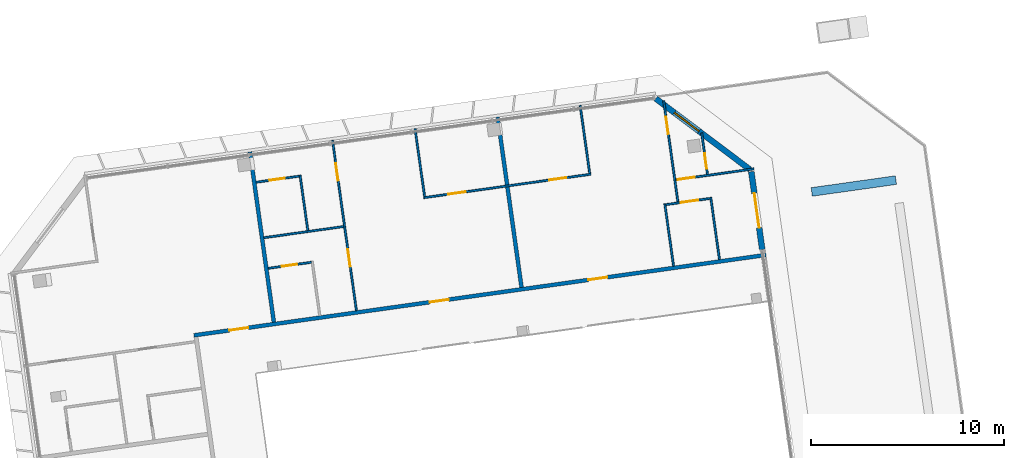
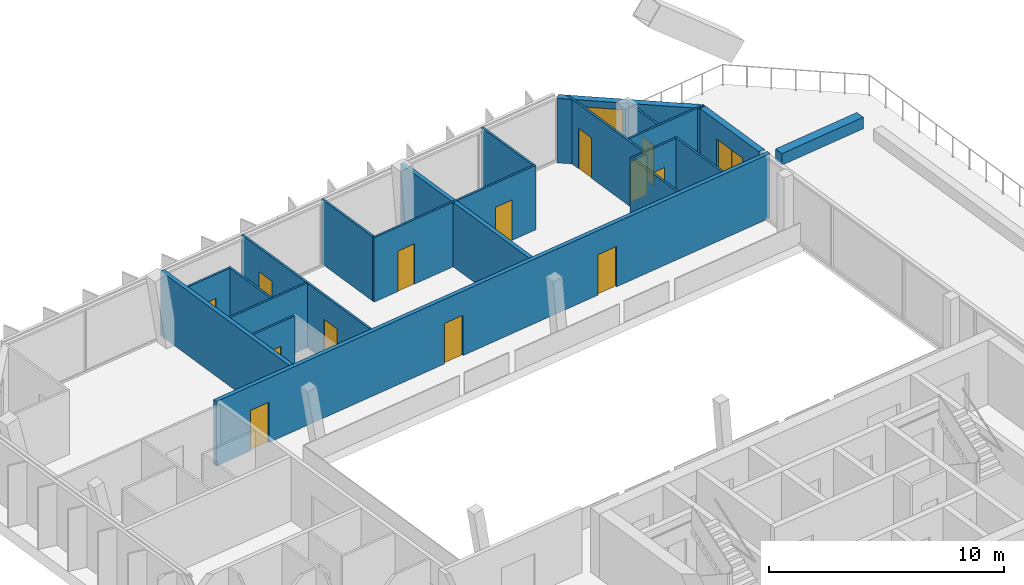
# One storey, part 14 of 17: 20 walls, 14 doors, 1 window, 15 openings.
"""IFC4 building model written with IfcOpenShell, lengths in metres."""

from ifc_helpers import new_model, si_unit, direction, frame, frame_2d, origin, place, context, subcontext, project, spatial, rectangle, extrude, material, layer, layer_set, type_object, element, fill, save


model = new_model("IFC4")

# Units and contexts
model_context = context("Model", 3, precision=1e-05, world=origin(), true_north=direction((0.0, 1.0)))
body_context = subcontext(model_context, "Body", "Model", "MODEL_VIEW")
ifc_project = project(units=[si_unit("LENGTHUNIT", "METRE"), si_unit("AREAUNIT", "SQUARE_METRE"), si_unit("VOLUMEUNIT", "CUBIC_METRE"), si_unit("PLANEANGLEUNIT", "RADIAN"), si_unit("MASSUNIT", "GRAM", prefix="KILO")], contexts=[model_context])

# Site, building, storey
site_placement = place(None, origin())
site = spatial("IfcSite", under=ifc_project, at=site_placement, CompositionType="ELEMENT")
building_placement = place(site_placement, origin())
building = spatial("IfcBuilding", under=site, at=building_placement, Name="Mirante Cascada Hotel Towers", CompositionType="ELEMENT")
storey_placement = place(building_placement, frame((0.0, 0.0, 250.8)))
storey = spatial("IfcBuildingStorey", under=building, at=storey_placement, Name="L60", CompositionType="ELEMENT", Elevation=250.8)

# Wall, openings, doors
ifc_material_1 = material(Name="Fire-rated plasterboard on metal studs")
ifc_layer_1 = layer(ifc_material_1, 0.2)
ifc_layer_set_1 = layer_set([ifc_layer_1], Name="Compartment wall 200 EI 120")
wall_type_1 = type_object("IfcWallType", Name="Compartment wall 200 EI 120", PredefinedType="PARTITIONING", material=ifc_layer_set_1)
wall_1_placement = place(storey_placement, frame((25.7365, 7.4991, 0.0), z_axis=(0.0, 0.0, 1.0), x_axis=(0.9902679, 0.139174, 0.0)))
wall_1 = element("IfcWall", 1, at=wall_1_placement, inside=storey, type_object=wall_type_1, Name="Wall 2-L60-11", PredefinedType="PARTITIONING", context=body_context, shape_type="SweptSolid", body=[
    extrude(rectangle(XDim=29.9, YDim=0.2, at=frame_2d((14.95, 0.0))), origin(), (0.0, 0.0, 1.0), 3.35),
])
opening_1_placement = place(wall_1_placement, frame((1.8472, 0.0, 0.0)))
opening_1 = element("IfcOpeningElement", 2, at=opening_1_placement, cuts=wall_1, Name="Opening D2-L60-06", PredefinedType="OPENING", context=body_context, shape_type="SweptSolid", body=[
    extrude(rectangle(XDim=1.0, YDim=2.1, at=frame_2d((0.5, 1.05))), frame((0.0, 0.1, 0.0), z_axis=(0.0, -1.0, 0.0), x_axis=(1.0, 0.0, 0.0)), (0.0, 0.0, 1.0), 0.2),
])
opening_2_placement = place(wall_1_placement, frame((12.3245, 0.0, 0.0)))
opening_2 = element("IfcOpeningElement", 3, at=opening_2_placement, cuts=wall_1, Name="Opening D2-L60-07", PredefinedType="OPENING", context=body_context, shape_type="SweptSolid", body=[
    extrude(rectangle(XDim=1.0, YDim=2.1, at=frame_2d((0.5, 1.05))), frame((0.0, 0.1, 0.0), z_axis=(0.0, -1.0, 0.0), x_axis=(1.0, 0.0, 0.0)), (0.0, 0.0, 1.0), 0.2),
])
opening_3_placement = place(wall_1_placement, frame((20.6122, 0.0, 0.0)))
opening_3 = element("IfcOpeningElement", 4, at=opening_3_placement, cuts=wall_1, Name="Opening D2-L60-08", PredefinedType="OPENING", context=body_context, shape_type="SweptSolid", body=[
    extrude(rectangle(XDim=1.0, YDim=2.1, at=frame_2d((0.5, 1.05))), frame((0.0, 0.1, 0.0), z_axis=(0.0, -1.0, 0.0), x_axis=(1.0, 0.0, 0.0)), (0.0, 0.0, 1.0), 0.2),
])
ifc_material_2 = material(Name="Fire-rated timber door leaf", Category="wood")
door_type_1 = type_object("IfcDoorType", Name="Entrance door DG1 1000x2100 EI 60", OperationType="SINGLE_SWING_LEFT", PredefinedType="DOOR", material=ifc_material_2)
door_1_placement = place(opening_1_placement, origin())
door_1 = element("IfcDoor", 5, at=door_1_placement, inside=storey, type_object=door_type_1, Name="Door D2-L60-06", OperationType="SINGLE_SWING_LEFT", OverallHeight=2.1, OverallWidth=1.0, PredefinedType="DOOR", context=body_context, shape_type="SweptSolid", body=[
    extrude(rectangle(XDim=1.0, YDim=2.1, at=frame_2d((0.5, 1.05))), frame((0.0, 0.025, 0.0), z_axis=(0.0, -1.0, 0.0), x_axis=(1.0, 0.0, 0.0)), (0.0, 0.0, 1.0), 0.05),
])
fill(opening_1, door_1)
door_2_placement = place(opening_2_placement, origin())
door_2 = element("IfcDoor", 6, at=door_2_placement, inside=storey, type_object=door_type_1, Name="Door D2-L60-07", OperationType="SINGLE_SWING_LEFT", OverallHeight=2.1, OverallWidth=1.0, PredefinedType="DOOR", context=body_context, shape_type="SweptSolid", body=[
    extrude(rectangle(XDim=1.0, YDim=2.1, at=frame_2d((0.5, 1.05))), frame((0.0, 0.025, 0.0), z_axis=(0.0, -1.0, 0.0), x_axis=(1.0, 0.0, 0.0)), (0.0, 0.0, 1.0), 0.05),
])
fill(opening_2, door_2)
door_3_placement = place(opening_3_placement, origin())
door_3 = element("IfcDoor", 7, at=door_3_placement, inside=storey, type_object=door_type_1, Name="Door D2-L60-08", OperationType="SINGLE_SWING_LEFT", OverallHeight=2.1, OverallWidth=1.0, PredefinedType="DOOR", context=body_context, shape_type="SweptSolid", body=[
    extrude(rectangle(XDim=1.0, YDim=2.1, at=frame_2d((0.5, 1.05))), frame((0.0, 0.025, 0.0), z_axis=(0.0, -1.0, 0.0), x_axis=(1.0, 0.0, 0.0)), (0.0, 0.0, 1.0), 0.05),
])
fill(opening_3, door_3)

# Walls
for number, where, z_axis, x_axis, name in (
    (8, (29.8761, 8.1818, 0.0), (0.0, 0.0, 1.0), (-0.1391794, 0.9902672, 0.0), "Wall 2-L60-29"),
    (9, (41.4567, 18.7969, 0.0), (0.0, 0.0, 1.0), (0.1391794, -0.9902672, 0.0), "Wall 2-L60-34"),
):
    element("IfcWall", number, at=place(storey_placement, frame(where, z_axis=z_axis, x_axis=x_axis)), inside=storey, type_object=wall_type_1, Name=name, PredefinedType="PARTITIONING", context=body_context, shape_type="SweptSolid", body=[
        extrude(rectangle(XDim=8.9, YDim=0.2, at=frame_2d((4.45, 0.0))), origin(), (0.0, 0.0, 1.0), 3.35),
    ])

# Wall, opening, door
ifc_material_3 = material(Name="Plasterboard on metal studs")
ifc_layer_2 = layer(ifc_material_3, 0.1)
ifc_layer_set_2 = layer_set([ifc_layer_2], Name="Partition 100")
wall_type_2 = type_object("IfcWallType", Name="Partition 100", PredefinedType="PARTITIONING", material=ifc_layer_set_2)
wall_2_placement = place(storey_placement, frame((31.8135, 11.2816, 0.0), z_axis=(0.0, 0.0, 1.0), x_axis=(-0.9902705, -0.1391561, 0.0)))
wall_2 = element("IfcWall", 10, at=wall_2_placement, inside=storey, type_object=wall_type_2, Name="Wall 2-L60-12", PredefinedType="PARTITIONING", context=body_context, shape_type="SweptSolid", body=[
    extrude(rectangle(XDim=2.25, YDim=0.1, at=frame_2d((1.125, 0.0))), origin(), (0.0, 0.0, 1.0), 3.35),
])
opening_4_placement = place(wall_2_placement, frame((0.75, 0.0, 0.0)))
opening_4 = element("IfcOpeningElement", 11, at=opening_4_placement, cuts=wall_2, Name="Opening D2-L60-09", PredefinedType="OPENING", context=body_context, shape_type="SweptSolid", body=[
    extrude(rectangle(XDim=0.8, YDim=2.1, at=frame_2d((0.4, 1.05))), frame((0.0, 0.05, 0.0), z_axis=(0.0, -1.0, 0.0), x_axis=(1.0, 0.0, 0.0)), (0.0, 0.0, 1.0), 0.1),
])
ifc_material_4 = material(Name="Timber door leaf", Category="wood")
door_type_2 = type_object("IfcDoorType", Name="Bathroom door DG4 800x2100", OperationType="SINGLE_SWING_LEFT", PredefinedType="DOOR", material=ifc_material_4)
door_4_placement = place(opening_4_placement, origin())
door_4 = element("IfcDoor", 12, at=door_4_placement, inside=storey, type_object=door_type_2, Name="Door D2-L60-09", OperationType="SINGLE_SWING_LEFT", OverallHeight=2.1, OverallWidth=0.8, PredefinedType="DOOR", context=body_context, shape_type="SweptSolid", body=[
    extrude(rectangle(XDim=0.8, YDim=2.1, at=frame_2d((0.4, 1.05))), frame((0.0, 0.025, 0.0), z_axis=(0.0, -1.0, 0.0), x_axis=(1.0, 0.0, 0.0)), (0.0, 0.0, 1.0), 0.05),
])
fill(opening_4, door_4)

wall_3_placement = place(storey_placement, frame((50.1675, 14.2651, 0.0), z_axis=(0.0, 0.0, 1.0), x_axis=(0.9902678, 0.1391749, 0.0)))
wall_3 = element("IfcWall", 13, at=wall_3_placement, inside=storey, type_object=wall_type_2, Name="Wall 2-L60-13", PredefinedType="PARTITIONING", context=body_context, shape_type="SweptSolid", body=[
    extrude(rectangle(XDim=2.3, YDim=0.1, at=frame_2d((1.15, 0.0))), origin(), (0.0, 0.0, 1.0), 3.35),
])
opening_5_placement = place(wall_3_placement, frame((0.7849, 0.0, 0.0)))
opening_5 = element("IfcOpeningElement", 14, at=opening_5_placement, cuts=wall_3, Name="Opening D2-L60-10", PredefinedType="OPENING", context=body_context, shape_type="SweptSolid", body=[
    extrude(rectangle(XDim=0.9, YDim=2.1, at=frame_2d((0.45, 1.05))), frame((0.0, 0.05, 0.0), z_axis=(0.0, -1.0, 0.0), x_axis=(1.0, 0.0, 0.0)), (0.0, 0.0, 1.0), 0.1),
])
ifc_material_5 = material(Name="Timber door leaf", Category="wood")
door_type_3 = type_object("IfcDoorType", Name="Room door DG3 900x2100", OperationType="SINGLE_SWING_LEFT", PredefinedType="DOOR", material=ifc_material_5)
door_5_placement = place(opening_5_placement, frame((0.9, 0.0, 0.0), z_axis=(0.0, 0.0, 1.0), x_axis=(-1.0, 0.0, 0.0)))
door_5 = element("IfcDoor", 15, at=door_5_placement, inside=storey, type_object=door_type_3, Name="Door D2-L60-10", OperationType="SINGLE_SWING_RIGHT", OverallHeight=2.1, OverallWidth=0.9, PredefinedType="DOOR", context=body_context, shape_type="SweptSolid", body=[
    extrude(rectangle(XDim=0.9, YDim=2.1, at=frame_2d((0.45, 1.05))), frame((0.0, 0.025, 0.0), z_axis=(0.0, -1.0, 0.0), x_axis=(1.0, 0.0, 0.0)), (0.0, 0.0, 1.0), 0.05),
])
fill(opening_5, door_5)

# Wall
wall_4_placement = place(storey_placement, frame((29.3627, 12.5529, 0.0), z_axis=(0.0, 0.0, 1.0), x_axis=(0.9902672, 0.1391791, 0.0)))
element("IfcWall", 16, at=wall_4_placement, inside=storey, type_object=wall_type_2, Name="Wall 2-L60-15", PredefinedType="PARTITIONING", context=body_context, shape_type="SweptSolid", body=[
    extrude(rectangle(XDim=4.1651, YDim=0.1, at=frame_2d((2.0826, 0.0))), origin(), (0.0, 0.0, 1.0), 3.35),
])

# Wall, opening, door
wall_5_placement = place(storey_placement, frame((54.7192, 16.1166, 0.0), z_axis=(0.0, 0.0, 1.0), x_axis=(-0.9902666, -0.1391839, 0.0)))
wall_5 = element("IfcWall", 17, at=wall_5_placement, inside=storey, type_object=wall_type_2, Name="Wall 2-L60-16", PredefinedType="PARTITIONING", context=body_context, shape_type="SweptSolid", body=[
    extrude(rectangle(XDim=4.0802, YDim=0.1, at=frame_2d((2.0401, 0.0))), origin(), (0.0, 0.0, 1.0), 3.35),
])
opening_6_placement = place(wall_5_placement, frame((3.0802, 0.0, 0.0)))
opening_6 = element("IfcOpeningElement", 18, at=opening_6_placement, cuts=wall_5, Name="Opening D2-L60-11", PredefinedType="OPENING", context=body_context, shape_type="SweptSolid", body=[
    extrude(rectangle(XDim=0.9, YDim=2.1, at=frame_2d((0.45, 1.05))), frame((0.0, 0.05, 0.0), z_axis=(0.0, -1.0, 0.0), x_axis=(1.0, 0.0, 0.0)), (0.0, 0.0, 1.0), 0.1),
])
door_6_placement = place(opening_6_placement, origin())
door_6 = element("IfcDoor", 19, at=door_6_placement, inside=storey, type_object=door_type_3, Name="Door D2-L60-11", OperationType="SINGLE_SWING_LEFT", OverallHeight=2.1, OverallWidth=0.9, PredefinedType="DOOR", context=body_context, shape_type="SweptSolid", body=[
    extrude(rectangle(XDim=0.9, YDim=2.1, at=frame_2d((0.45, 1.05))), frame((0.0, 0.025, 0.0), z_axis=(0.0, -1.0, 0.0), x_axis=(1.0, 0.0, 0.0)), (0.0, 0.0, 1.0), 0.05),
])
fill(opening_6, door_6)

# Wall, openings, doors
wall_6_placement = place(storey_placement, frame((37.6351, 14.6244, 0.0), z_axis=(0.0, 0.0, 1.0), x_axis=(0.9902683, 0.1391711, 0.0)))
wall_6 = element("IfcWall", 20, at=wall_6_placement, inside=storey, type_object=wall_type_2, Name="Wall 2-L60-17", PredefinedType="PARTITIONING", context=body_context, shape_type="SweptSolid", body=[
    extrude(rectangle(XDim=8.7303, YDim=0.1, at=frame_2d((4.3652, 0.0))), origin(), (0.0, 0.0, 1.0), 3.35),
])
opening_7_placement = place(wall_6_placement, frame((1.2815, 0.0, 0.0)))
opening_7 = element("IfcOpeningElement", 21, at=opening_7_placement, cuts=wall_6, Name="Opening D2-L60-12", PredefinedType="OPENING", context=body_context, shape_type="SweptSolid", body=[
    extrude(rectangle(XDim=0.9, YDim=2.1, at=frame_2d((0.45, 1.05))), frame((0.0, 0.05, 0.0), z_axis=(0.0, -1.0, 0.0), x_axis=(1.0, 0.0, 0.0)), (0.0, 0.0, 1.0), 0.1),
])
opening_8_placement = place(wall_6_placement, frame((6.5487, 0.0, 0.0)))
opening_8 = element("IfcOpeningElement", 22, at=opening_8_placement, cuts=wall_6, Name="Opening D2-L60-13", PredefinedType="OPENING", context=body_context, shape_type="SweptSolid", body=[
    extrude(rectangle(XDim=0.9, YDim=2.1, at=frame_2d((0.45, 1.05))), frame((0.0, 0.05, 0.0), z_axis=(0.0, -1.0, 0.0), x_axis=(1.0, 0.0, 0.0)), (0.0, 0.0, 1.0), 0.1),
])
door_7_placement = place(opening_7_placement, frame((0.9, 0.0, 0.0), z_axis=(0.0, 0.0, 1.0), x_axis=(-1.0, 0.0, 0.0)))
door_7 = element("IfcDoor", 23, at=door_7_placement, inside=storey, type_object=door_type_3, Name="Door D2-L60-12", OperationType="SINGLE_SWING_RIGHT", OverallHeight=2.1, OverallWidth=0.9, PredefinedType="DOOR", context=body_context, shape_type="SweptSolid", body=[
    extrude(rectangle(XDim=0.9, YDim=2.1, at=frame_2d((0.45, 1.05))), frame((0.0, 0.025, 0.0), z_axis=(0.0, -1.0, 0.0), x_axis=(1.0, 0.0, 0.0)), (0.0, 0.0, 1.0), 0.05),
])
fill(opening_7, door_7)
door_8_placement = place(opening_8_placement, frame((0.9, 0.0, 0.0), z_axis=(0.0, 0.0, 1.0), x_axis=(-1.0, 0.0, 0.0)))
door_8 = element("IfcDoor", 24, at=door_8_placement, inside=storey, type_object=door_type_3, Name="Door D2-L60-13", OperationType="SINGLE_SWING_RIGHT", OverallHeight=2.1, OverallWidth=0.9, PredefinedType="DOOR", context=body_context, shape_type="SweptSolid", body=[
    extrude(rectangle(XDim=0.9, YDim=2.1, at=frame_2d((0.45, 1.05))), frame((0.0, 0.025, 0.0), z_axis=(0.0, -1.0, 0.0), x_axis=(1.0, 0.0, 0.0)), (0.0, 0.0, 1.0), 0.05),
])
fill(opening_8, door_8)

# Wall, opening, door
wall_7_placement = place(storey_placement, frame((31.1872, 15.7379, 0.0), z_axis=(0.0, 0.0, 1.0), x_axis=(-0.9902643, -0.1391997, 0.0)))
wall_7 = element("IfcWall", 25, at=wall_7_placement, inside=storey, type_object=wall_type_2, Name="Wall 2-L60-18", PredefinedType="PARTITIONING", context=body_context, shape_type="SweptSolid", body=[
    extrude(rectangle(XDim=2.25, YDim=0.1, at=frame_2d((1.125, 0.0))), origin(), (0.0, 0.0, 1.0), 3.35),
])
opening_9_placement = place(wall_7_placement, frame((0.75, 0.0, 0.0)))
opening_9 = element("IfcOpeningElement", 26, at=opening_9_placement, cuts=wall_7, Name="Opening D2-L60-14", PredefinedType="OPENING", context=body_context, shape_type="SweptSolid", body=[
    extrude(rectangle(XDim=0.8, YDim=2.1, at=frame_2d((0.4, 1.05))), frame((0.0, 0.05, 0.0), z_axis=(0.0, -1.0, 0.0), x_axis=(1.0, 0.0, 0.0)), (0.0, 0.0, 1.0), 0.1),
])
door_9_placement = place(opening_9_placement, origin())
door_9 = element("IfcDoor", 27, at=door_9_placement, inside=storey, type_object=door_type_2, Name="Door D2-L60-14", OperationType="SINGLE_SWING_LEFT", OverallHeight=2.1, OverallWidth=0.8, PredefinedType="DOOR", context=body_context, shape_type="SweptSolid", body=[
    extrude(rectangle(XDim=0.8, YDim=2.1, at=frame_2d((0.4, 1.05))), frame((0.0, 0.025, 0.0), z_axis=(0.0, -1.0, 0.0), x_axis=(1.0, 0.0, 0.0)), (0.0, 0.0, 1.0), 0.05),
])
fill(opening_9, door_9)

# Wall
wall_8_placement = place(storey_placement, frame((31.6334, 12.9225, 0.0), z_axis=(0.0, 0.0, 1.0), x_axis=(-0.1391714, 0.9902683, 0.0)))
element("IfcWall", 28, at=wall_8_placement, inside=storey, type_object=wall_type_2, Name="Wall 2-L60-31", PredefinedType="PARTITIONING", context=body_context, shape_type="SweptSolid", body=[
    extrude(rectangle(XDim=2.9, YDim=0.1, at=frame_2d((1.45, 0.0))), origin(), (0.0, 0.0, 1.0), 3.35),
])

# Wall, openings, doors
wall_9_placement = place(storey_placement, frame((32.9105, 17.5958, 0.0), z_axis=(0.0, 0.0, 1.0), x_axis=(0.1391794, -0.9902672, 0.0)))
wall_9 = element("IfcWall", 29, at=wall_9_placement, inside=storey, type_object=wall_type_2, Name="Wall 2-L60-32", PredefinedType="PARTITIONING", context=body_context, shape_type="SweptSolid", body=[
    extrude(rectangle(XDim=8.9, YDim=0.1, at=frame_2d((4.45, 0.0))), origin(), (0.0, 0.0, 1.0), 3.35),
])
opening_10_placement = place(wall_9_placement, frame((5.7, 0.0, 0.0)))
opening_10 = element("IfcOpeningElement", 30, at=opening_10_placement, cuts=wall_9, Name="Opening D2-L60-23", PredefinedType="OPENING", context=body_context, shape_type="SweptSolid", body=[
    extrude(rectangle(XDim=0.9, YDim=2.1, at=frame_2d((0.45, 1.05))), frame((0.0, 0.05, 0.0), z_axis=(0.0, -1.0, 0.0), x_axis=(1.0, 0.0, 0.0)), (0.0, 0.0, 1.0), 0.1),
])
opening_11_placement = place(wall_9_placement, frame((1.2, 0.0, 0.0)))
opening_11 = element("IfcOpeningElement", 31, at=opening_11_placement, cuts=wall_9, Name="Opening D2-L60-24", PredefinedType="OPENING", context=body_context, shape_type="SweptSolid", body=[
    extrude(rectangle(XDim=0.9, YDim=2.1, at=frame_2d((0.45, 1.05))), frame((0.0, 0.05, 0.0), z_axis=(0.0, -1.0, 0.0), x_axis=(1.0, 0.0, 0.0)), (0.0, 0.0, 1.0), 0.1),
])
door_10_placement = place(opening_10_placement, origin())
door_10 = element("IfcDoor", 32, at=door_10_placement, inside=storey, type_object=door_type_3, Name="Door D2-L60-23", OperationType="SINGLE_SWING_LEFT", OverallHeight=2.1, OverallWidth=0.9, PredefinedType="DOOR", context=body_context, shape_type="SweptSolid", body=[
    extrude(rectangle(XDim=0.9, YDim=2.1, at=frame_2d((0.45, 1.05))), frame((0.0, 0.025, 0.0), z_axis=(0.0, -1.0, 0.0), x_axis=(1.0, 0.0, 0.0)), (0.0, 0.0, 1.0), 0.05),
])
fill(opening_10, door_10)
door_11_placement = place(opening_11_placement, origin())
door_11 = element("IfcDoor", 33, at=door_11_placement, inside=storey, type_object=door_type_3, Name="Door D2-L60-24", OperationType="SINGLE_SWING_LEFT", OverallHeight=2.1, OverallWidth=0.9, PredefinedType="DOOR", context=body_context, shape_type="SweptSolid", body=[
    extrude(rectangle(XDim=0.9, YDim=2.1, at=frame_2d((0.45, 1.05))), frame((0.0, 0.025, 0.0), z_axis=(0.0, -1.0, 0.0), x_axis=(1.0, 0.0, 0.0)), (0.0, 0.0, 1.0), 0.05),
])
fill(opening_11, door_11)

# Walls
for number, where, z_axis, x_axis, name in (
    (34, (37.6777, 14.6809, 0.0), (0.0, 0.0, 1.0), (-0.1391849, 0.9902664, 0.0), "Wall 2-L60-33"),
    (35, (46.2239, 15.882, 0.0), (0.0, 0.0, 1.0), (-0.1391849, 0.9902664, 0.0), "Wall 2-L60-35"),
):
    element("IfcWall", number, at=place(storey_placement, frame(where, z_axis=z_axis, x_axis=x_axis)), inside=storey, type_object=wall_type_2, Name=name, PredefinedType="PARTITIONING", context=body_context, shape_type="SweptSolid", body=[
        extrude(rectangle(XDim=3.55, YDim=0.1, at=frame_2d((1.775, 0.0))), origin(), (0.0, 0.0, 1.0), 3.35),
    ])
wall_10_placement = place(storey_placement, frame((50.111, 14.3076, 0.0), z_axis=(0.0, 0.0, 1.0), x_axis=(0.1391681, -0.9902688, 0.0)))
element("IfcWall", 36, at=wall_10_placement, inside=storey, type_object=wall_type_2, Name="Wall 2-L60-36", PredefinedType="PARTITIONING", context=body_context, shape_type="SweptSolid", body=[
    extrude(rectangle(XDim=3.25, YDim=0.1, at=frame_2d((1.625, 0.0))), origin(), (0.0, 0.0, 1.0), 3.35),
])

# Wall, opening, door
wall_11_placement = place(storey_placement, frame((50.7893, 14.4029, 0.0), z_axis=(0.0, 0.0, 1.0), x_axis=(-0.1391779, 0.9902674, 0.0)))
wall_11 = element("IfcWall", 37, at=wall_11_placement, inside=storey, type_object=wall_type_2, Name="Wall 2-L60-37", PredefinedType="PARTITIONING", context=body_context, shape_type="SweptSolid", body=[
    extrude(rectangle(XDim=5.2803, YDim=0.1, at=frame_2d((2.6402, 0.0))), origin(), (0.0, 0.0, 1.0), 3.35),
])
opening_12_placement = place(wall_11_placement, frame((3.55, 0.0, 0.0)))
opening_12 = element("IfcOpeningElement", 38, at=opening_12_placement, cuts=wall_11, Name="Opening D2-L60-25", PredefinedType="OPENING", context=body_context, shape_type="SweptSolid", body=[
    extrude(rectangle(XDim=0.9, YDim=2.1, at=frame_2d((0.45, 1.05))), frame((0.0, 0.05, 0.0), z_axis=(0.0, -1.0, 0.0), x_axis=(1.0, 0.0, 0.0)), (0.0, 0.0, 1.0), 0.1),
])
door_12_placement = place(opening_12_placement, origin())
door_12 = element("IfcDoor", 39, at=door_12_placement, inside=storey, type_object=door_type_3, Name="Door D2-L60-25", OperationType="SINGLE_SWING_LEFT", OverallHeight=2.1, OverallWidth=0.9, PredefinedType="DOOR", context=body_context, shape_type="SweptSolid", body=[
    extrude(rectangle(XDim=0.9, YDim=2.1, at=frame_2d((0.45, 1.05))), frame((0.0, 0.025, 0.0), z_axis=(0.0, -1.0, 0.0), x_axis=(1.0, 0.0, 0.0)), (0.0, 0.0, 1.0), 0.05),
])
fill(opening_12, door_12)

# Wall
wall_12_placement = place(storey_placement, frame((52.4877, 14.6416, 0.0), z_axis=(0.0, 0.0, 1.0), x_axis=(0.1391723, -0.9902682, 0.0)))
element("IfcWall", 40, at=wall_12_placement, inside=storey, type_object=wall_type_2, Name="Wall 2-L60-38", PredefinedType="PARTITIONING", context=body_context, shape_type="SweptSolid", body=[
    extrude(rectangle(XDim=3.2499, YDim=0.1, at=frame_2d((1.6249, 0.0))), origin(), (0.0, 0.0, 1.0), 3.35),
])

# Wall, opening, door
wall_13_placement = place(storey_placement, frame((52.3207, 15.83, 0.0), z_axis=(0.0, 0.0, 1.0), x_axis=(-0.1392095, 0.9902629, 0.0)))
wall_13 = element("IfcWall", 41, at=wall_13_placement, inside=storey, type_object=wall_type_2, Name="Wall 2-L60-39", PredefinedType="PARTITIONING", context=body_context, shape_type="SweptSolid", body=[
    extrude(rectangle(XDim=2.1651, YDim=0.1, at=frame_2d((1.0825, 0.0))), origin(), (0.0, 0.0, 1.0), 3.35),
])
opening_13_placement = place(wall_13_placement, frame((0.3, 0.0, 0.0)))
opening_13 = element("IfcOpeningElement", 42, at=opening_13_placement, cuts=wall_13, Name="Opening D2-L60-26", PredefinedType="OPENING", context=body_context, shape_type="SweptSolid", body=[
    extrude(rectangle(XDim=0.8, YDim=2.1, at=frame_2d((0.4, 1.05))), frame((0.0, 0.05, 0.0), z_axis=(0.0, -1.0, 0.0), x_axis=(1.0, 0.0, 0.0)), (0.0, 0.0, 1.0), 0.1),
])
door_13_placement = place(opening_13_placement, origin())
door_13 = element("IfcDoor", 43, at=door_13_placement, inside=storey, type_object=door_type_2, Name="Door D2-L60-26", OperationType="SINGLE_SWING_LEFT", OverallHeight=2.1, OverallWidth=0.8, PredefinedType="DOOR", context=body_context, shape_type="SweptSolid", body=[
    extrude(rectangle(XDim=0.8, YDim=2.1, at=frame_2d((0.4, 1.05))), frame((0.0, 0.025, 0.0), z_axis=(0.0, -1.0, 0.0), x_axis=(1.0, 0.0, 0.0)), (0.0, 0.0, 1.0), 0.05),
])
fill(opening_13, door_13)

# Wall
ifc_material_6 = material(Name="Precast concrete C40/50", Category="concrete")
ifc_layer_3 = layer(ifc_material_6, 0.45)
ifc_layer_set_3 = layer_set([ifc_layer_3], Name="Planter wall 450 concrete C40/50")
wall_type_3 = type_object("IfcWallType", Name="Planter wall 450 concrete C40/50", PredefinedType="PARAPET", material=ifc_layer_set_3)
wall_14_placement = place(storey_placement, frame((57.7147, 14.9218, 0.0), z_axis=(0.0, 0.0, 1.0), x_axis=(0.9902665, 0.1391841, 0.0)))
element("IfcWall", 44, at=wall_14_placement, inside=storey, type_object=wall_type_3, Name="PLANTER T2 L60 bed 2", PredefinedType="PARAPET", context=body_context, shape_type="SweptSolid", body=[
    extrude(rectangle(XDim=4.3999, YDim=0.45, at=frame_2d((2.2, 0.0))), origin(), (0.0, 0.0, 1.0), 0.6),
])

# Wall, opening, window
ifc_material_7 = material(Name="Precast concrete C40/50", Category="concrete")
ifc_layer_4 = layer(ifc_material_7, 0.3)
ifc_layer_set_4 = layer_set([ifc_layer_4], Name="Precast concrete C40/50 cladding wall 300")
wall_type_4 = type_object("IfcWallType", Name="Precast concrete C40/50 cladding wall 300", PredefinedType="STANDARD", material=ifc_layer_set_4)
wall_15_placement = place(storey_placement, frame((54.5298, 16.0715, 0.0), z_axis=(0.0, 0.0, 1.0), x_axis=(-0.7986362, 0.6018141, 0.0)))
wall_15 = element("IfcWall", 45, at=wall_15_placement, inside=storey, type_object=wall_type_4, Name="Corner cladding wall T2 L60 outer front", PredefinedType="STANDARD", context=body_context, shape_type="SweptSolid", body=[
    extrude(rectangle(XDim=6.1157, YDim=0.3, at=frame_2d((3.0578, 0.0))), origin(), (0.0, 0.0, 1.0), 3.35),
])
opening_14_placement = place(wall_15_placement, frame((3.3157, 0.0, 0.6)))
opening_14 = element("IfcOpeningElement", 46, at=opening_14_placement, cuts=wall_15, Name="Opening W2-60-05", PredefinedType="OPENING", context=body_context, shape_type="SweptSolid", body=[
    extrude(rectangle(XDim=1.6, YDim=2.4, at=frame_2d((0.8, 1.2))), frame((0.0, 0.15, 0.0), z_axis=(0.0, -1.0, 0.0), x_axis=(1.0, 0.0, 0.0)), (0.0, 0.0, 1.0), 0.3),
])
ifc_material_8 = material(Name="Aluminium frame with clear double glazing", Category="aluminium")
window_type = type_object("IfcWindowType", Name="Corner suite window 1600x2400", PartitioningType="DOUBLE_PANEL_VERTICAL", PredefinedType="WINDOW", material=ifc_material_8)
window_placement = place(opening_14_placement, origin())
window = element("IfcWindow", 47, at=window_placement, inside=storey, type_object=window_type, Name="Window W2-60-05", OverallHeight=2.4, OverallWidth=1.6, PartitioningType="SINGLE_PANEL", PredefinedType="WINDOW", context=body_context, shape_type="SweptSolid", body=[
    extrude(rectangle(XDim=1.6, YDim=2.4, at=frame_2d((0.8, 1.2))), frame((0.0, 0.03, 0.0), z_axis=(0.0, -1.0, 0.0), x_axis=(1.0, 0.0, 0.0)), (0.0, 0.0, 1.0), 0.06),
])
fill(opening_14, window)

# Wall, opening, door
ifc_material_9 = material(Name="Precast concrete C40/50", Category="concrete")
ifc_layer_5 = layer(ifc_material_9, 0.3)
ifc_layer_set_5 = layer_set([ifc_layer_5], Name="Precast concrete C40/50 terrace wall 300")
wall_type_5 = type_object("IfcWallType", Name="Precast concrete C40/50 terrace wall 300", PredefinedType="STANDARD", material=ifc_layer_set_5)
wall_16_placement = place(storey_placement, frame((55.1552, 11.9366, 0.0), z_axis=(0.0, 0.0, 1.0), x_axis=(-0.1391609, 0.9902698, 0.0)))
wall_16 = element("IfcWall", 48, at=wall_16_placement, inside=storey, type_object=wall_type_5, Name="Lounge door pier wall T2 L60 2", PredefinedType="STANDARD", context=body_context, shape_type="SweptSolid", body=[
    extrude(rectangle(XDim=4.0759, YDim=0.3, at=frame_2d((2.038, 0.0))), origin(), (0.0, 0.0, 1.0), 3.35),
])
opening_15_placement = place(wall_16_placement, frame((1.1379, 0.0, 0.0)))
opening_15 = element("IfcOpeningElement", 49, at=opening_15_placement, cuts=wall_16, Name="Opening D2-60-91", PredefinedType="OPENING", context=body_context, shape_type="SweptSolid", body=[
    extrude(rectangle(XDim=1.8, YDim=2.4, at=frame_2d((0.9, 1.2))), frame((0.0, 0.15, 0.0), z_axis=(0.0, -1.0, 0.0), x_axis=(1.0, 0.0, 0.0)), (0.0, 0.0, 1.0), 0.3),
])
ifc_material_10 = material(Name="Aluminium frame with clear laminated glazing", Category="aluminium")
door_type_4 = type_object("IfcDoorType", Name="Terrace double door 1800x2400", OperationType="DOUBLE_DOOR_SINGLE_SWING", PredefinedType="DOOR", material=ifc_material_10)
door_14_placement = place(opening_15_placement, origin())
door_14 = element("IfcDoor", 50, at=door_14_placement, inside=storey, type_object=door_type_4, Name="Terrace door D2-60-91", OperationType="DOUBLE_DOOR_SINGLE_SWING", OverallHeight=2.4, OverallWidth=1.8, PredefinedType="DOOR", context=body_context, shape_type="SweptSolid", body=[
    extrude(rectangle(XDim=0.895, YDim=2.4, at=frame_2d((0.4475, 1.2))), frame((0.0, 0.025, 0.0), z_axis=(0.0, -1.0, 0.0), x_axis=(1.0, 0.0, 0.0)), (0.0, 0.0, 1.0), 0.05),
    extrude(rectangle(XDim=0.895, YDim=2.4, at=frame_2d((1.3525, 1.2))), frame((0.0, 0.025, 0.0), z_axis=(0.0, -1.0, 0.0), x_axis=(1.0, 0.0, 0.0)), (0.0, 0.0, 1.0), 0.05),
])
fill(opening_15, door_14)

save(model, "model.ifc")
